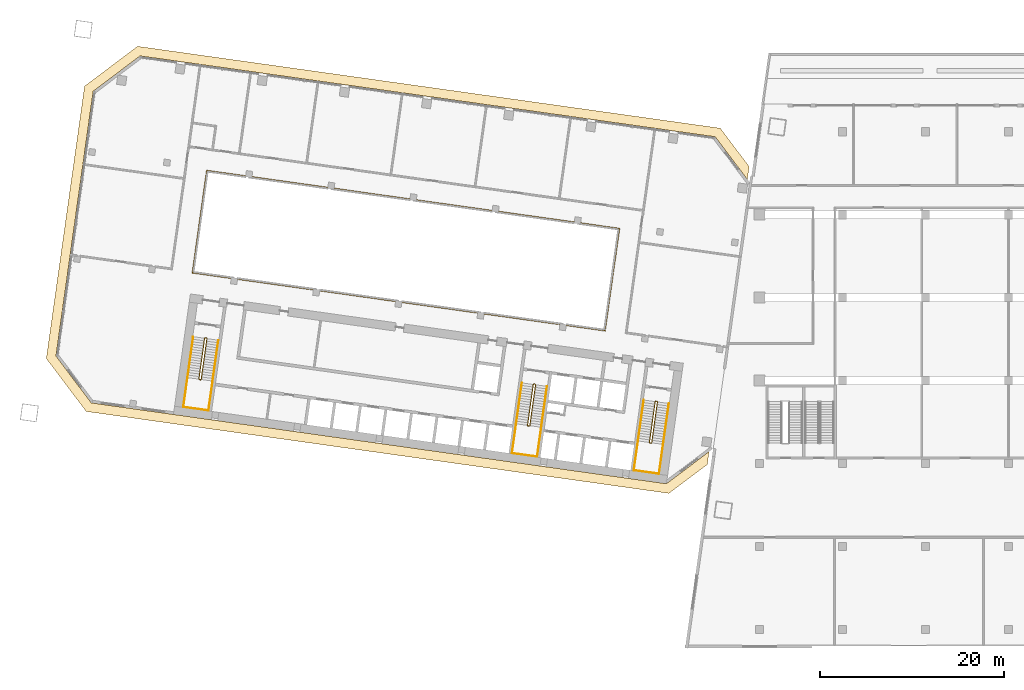
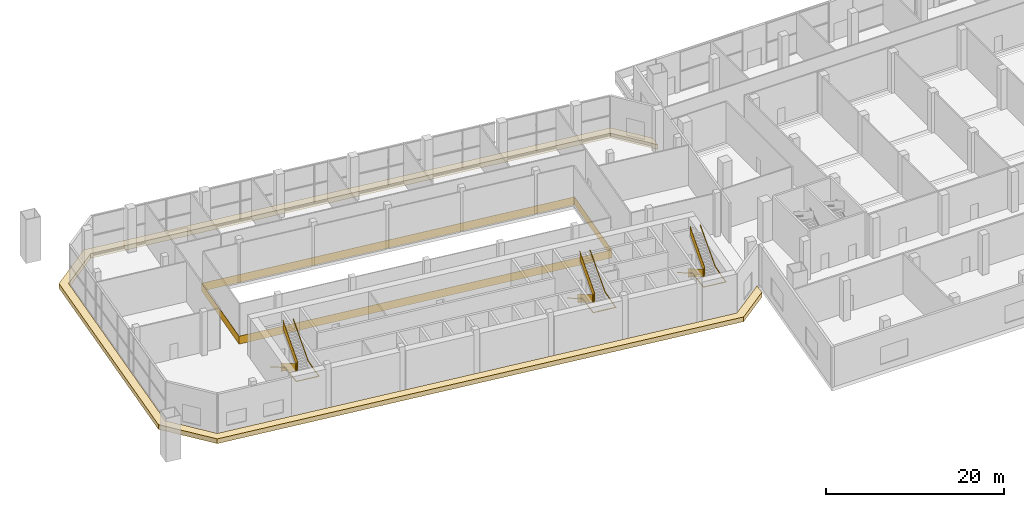
# One storey, part 21 of 24: 7 railings, 1 covering.
"""IFC4 building model written with IfcOpenShell, lengths in metres."""

from ifc_helpers import new_model, si_unit, direction, frame, origin, origin_2d, place, context, subcontext, project, spatial, polyline, rectangle, outline, extrude, material, layer, layer_set, type_object, element, save


model = new_model("IFC4")

# Units and contexts
model_context = context("Model", 3, precision=1e-05, world=origin(), true_north=direction((0.0, 1.0)))
body_context = subcontext(model_context, "Body", "Model", "MODEL_VIEW")
ifc_project = project(units=[si_unit("LENGTHUNIT", "METRE"), si_unit("AREAUNIT", "SQUARE_METRE"), si_unit("VOLUMEUNIT", "CUBIC_METRE"), si_unit("PLANEANGLEUNIT", "RADIAN"), si_unit("MASSUNIT", "GRAM", prefix="KILO")], contexts=[model_context])

# Site, building, storey
site_placement = place(None, origin())
site = spatial("IfcSite", under=ifc_project, at=site_placement, CompositionType="ELEMENT")
building_placement = place(site_placement, origin())
building = spatial("IfcBuilding", under=site, at=building_placement, Name="Mirante Cascada Hotel Towers", CompositionType="ELEMENT")
storey_placement = place(building_placement, frame((0.0, 0.0, 17.5)))
storey = spatial("IfcBuildingStorey", under=building, at=storey_placement, Name="L02", CompositionType="ELEMENT", Elevation=17.5)

# Railing
ifc_material_1 = material(Name="Painted steel", Category="steel")
railing_type_1 = type_object("IfcRailingType", Name="Atrium edge guard 1100 steel balustrade", PredefinedType="GUARDRAIL", material=ifc_material_1)
railing_1_placement = place(storey_placement, frame((-43.7567, -3.601, 0.0)))
element("IfcRailing", 1, at=railing_1_placement, inside=storey, type_object=railing_type_1, Name="Atrium guard T1 L02", PredefinedType="GUARDRAIL", context=body_context, shape_type="SweptSolid", body=[
    extrude(rectangle(XDim=0.048, YDim=0.048, at=origin_2d()), frame((0.0, 0.0, 1.076), z_axis=(-0.9902681, 0.1391726, 0.0), x_axis=(-0.1391726, -0.9902681, 0.0)), (0.0, 0.0, 1.0), 45.2),
    extrude(rectangle(XDim=0.02, YDim=1.052, at=origin_2d()), frame((0.0, 0.0, 0.526), z_axis=(-0.9902681, 0.1391726, 0.0), x_axis=(-0.1391726, -0.9902681, 0.0)), (0.0, 0.0, 1.0), 45.2),
    extrude(rectangle(XDim=0.048, YDim=0.048, at=origin_2d()), frame((-44.7601, 6.2906, 1.076), z_axis=(0.1391697, 0.9902685, 0.0), x_axis=(-0.9902685, 0.1391697, 0.0)), (0.0, 0.0, 1.0), 11.2),
    extrude(rectangle(XDim=0.02, YDim=1.052, at=origin_2d()), frame((-44.7601, 6.2906, 0.526), z_axis=(0.1391697, 0.9902685, 0.0), x_axis=(-0.9902685, 0.1391697, 0.0)), (0.0, 0.0, 1.0), 11.2),
    extrude(rectangle(XDim=0.048, YDim=0.048, at=origin_2d()), frame((-43.2014, 17.3816, 1.076), z_axis=(0.9902681, -0.1391726, 0.0), x_axis=(0.1391726, 0.9902681, 0.0)), (0.0, 0.0, 1.0), 45.2),
    extrude(rectangle(XDim=0.02, YDim=1.052, at=origin_2d()), frame((-43.2014, 17.3816, 0.526), z_axis=(0.9902681, -0.1391726, 0.0), x_axis=(0.1391726, 0.9902681, 0.0)), (0.0, 0.0, 1.0), 45.2),
    extrude(rectangle(XDim=0.048, YDim=0.048, at=origin_2d()), frame((1.5587, 11.091, 1.076), z_axis=(-0.1391697, -0.9902685, 0.0), x_axis=(0.9902685, -0.1391697, 0.0)), (0.0, 0.0, 1.0), 11.2),
    extrude(rectangle(XDim=0.02, YDim=1.052, at=origin_2d()), frame((1.5587, 11.091, 0.526), z_axis=(-0.1391697, -0.9902685, 0.0), x_axis=(0.9902685, -0.1391697, 0.0)), (0.0, 0.0, 1.0), 11.2),
])

# Covering
ifc_material_2 = material(Name="Precast concrete C40/50 white", Category="concrete")
ifc_layer = layer(ifc_material_2, 0.6)
ifc_layer_set = layer_set([ifc_layer], Name="Precast concrete SUNSHADE band 1000x600")
covering_type = type_object("IfcCoveringType", Name="Precast concrete SUNSHADE band 1000x600", PredefinedType="CLADDING", material=ifc_layer_set)
covering_placement = place(storey_placement, frame((0.0, 0.0, -0.5)))
element("IfcCovering", 2, at=covering_placement, inside=storey, type_object=covering_type, Name="Precast concrete SUNSHADE band T1 L02", PredefinedType="CLADDING", context=body_context, shape_type="SweptSolid", body=[
    extrude(outline(polyline([(-100.2139, 22.9287), (-94.4698, 27.2572), (-31.2626, 18.374), (-28.1256, 14.2111), (-28.3224, 12.8107), (-31.8119, 17.4414), (-94.1988, 26.2093), (-99.2813, 22.3794), (-103.3173, -6.3384), (-99.4874, -11.4209), (-37.1005, -20.1888), (-32.4698, -16.6993), (-32.6666, -18.0998), (-36.8295, -21.2367), (-100.0367, -12.3535), (-104.3652, -6.6094), (-100.2139, 22.9287)])), origin(), (0.0, 0.0, 1.0), 0.65),
])

# Railings
ifc_material_3 = material(Name="Painted steel", Category="steel")
railing_type_2 = type_object("IfcRailingType", Name="Stair guard 1100 steel balustrade", PredefinedType="GUARDRAIL", material=ifc_material_3)
railing_2_placement = place(storey_placement, frame((-38.1178, -11.2603, 0.0)))
element("IfcRailing", 3, at=railing_2_placement, inside=storey, type_object=railing_type_2, Name="L02 ST1-A stair guard 1", PredefinedType="GUARDRAIL", context=body_context, shape_type="SweptSolid", body=[
    extrude(rectangle(XDim=0.048, YDim=0.048, at=origin_2d()), frame((0.0, 0.0, 1.076), z_axis=(-0.9903326, 0.1387133, 0.0), x_axis=(-0.1387133, -0.9903326, 0.0)), (0.0, 0.0, 1.0), 0.1499),
    extrude(rectangle(XDim=0.02, YDim=1.052, at=origin_2d()), frame((0.0, 0.0, 0.526), z_axis=(-0.9903326, 0.1387133, 0.0), x_axis=(-0.1387133, -0.9903326, 0.0)), (0.0, 0.0, 1.0), 0.1499),
    extrude(rectangle(XDim=0.048, YDim=0.048, at=origin_2d()), frame((-0.1485, 0.0208, 1.076), z_axis=(-0.7991505, -0.6011309, 0.0), x_axis=(0.6011309, -0.7991505, 0.0)), (0.0, 0.9282951, 0.3718444), 0.1901),
    extrude(rectangle(XDim=0.02, YDim=1.052, at=origin_2d()), frame((-0.1485, 0.0208, 0.526), z_axis=(-0.7991505, -0.6011309, 0.0), x_axis=(0.6011309, -0.7991505, 0.0)), (0.0, 0.9282951, 0.3718444), 0.1901),
    extrude(rectangle(XDim=0.048, YDim=0.048, at=origin_2d()), frame((-0.205, -0.0217, 1.2525), z_axis=(-0.1391741, -0.9902679, 0.0), x_axis=(0.9902679, -0.1391741, 0.0)), (0.0, 0.5331864, 0.8459978), 5.2955),
    extrude(rectangle(XDim=0.02, YDim=1.052, at=origin_2d()), frame((-0.205, -0.0217, 0.7025), z_axis=(-0.1391741, -0.9902679, 0.0), x_axis=(0.9902679, -0.1391741, 0.0)), (0.0, 0.5331864, 0.8459978), 5.2955),
    extrude(rectangle(XDim=0.048, YDim=0.048, at=origin_2d()), frame((-0.8285, -4.4581, 4.076), z_axis=(0.9268624, -0.3754011, 0.0), x_axis=(0.3754011, 0.9268624, 0.0)), (0.0, 0.0, 1.0), 0.2062),
    extrude(rectangle(XDim=0.02, YDim=1.052, at=origin_2d()), frame((-0.8285, -4.4581, 3.526), z_axis=(0.9268624, -0.3754011, 0.0), x_axis=(0.3754011, 0.9268624, 0.0)), (0.0, 0.0, 1.0), 0.2062),
    extrude(rectangle(XDim=0.048, YDim=0.048, at=origin_2d()), frame((-0.6374, -4.5355, 4.076), z_axis=(-0.9902408, 0.1393672, 0.0), x_axis=(-0.1393672, -0.9902408, 0.0)), (0.0, 0.0, 1.0), 0.15),
    extrude(rectangle(XDim=0.02, YDim=1.052, at=origin_2d()), frame((-0.6374, -4.5355, 3.526), z_axis=(-0.9902408, 0.1393672, 0.0), x_axis=(-0.1393672, -0.9902408, 0.0)), (0.0, 0.0, 1.0), 0.15),
    extrude(rectangle(XDim=0.048, YDim=0.048, at=origin_2d()), frame((-0.7859, -4.5146, 4.076), z_axis=(0.9944441, 0.1052656, 0.0), x_axis=(-0.1052656, 0.9944441, 0.0)), (0.0, 0.650375, 0.7596133), 0.2714),
    extrude(rectangle(XDim=0.02, YDim=1.052, at=origin_2d()), frame((-0.7859, -4.5146, 3.526), z_axis=(0.9944441, 0.1052656, 0.0), x_axis=(-0.1052656, 0.9944441, 0.0)), (0.0, 0.650375, 0.7596133), 0.2714),
    extrude(rectangle(XDim=0.048, YDim=0.048, at=origin_2d()), frame((-0.5809, -4.4929, 4.2525), z_axis=(0.1391741, 0.9902679, 0.0), x_axis=(-0.9902679, 0.1391741, 0.0)), (0.0, 0.5331864, 0.8459978), 5.2955),
    extrude(rectangle(XDim=0.02, YDim=1.052, at=origin_2d()), frame((-0.5809, -4.4929, 3.7025), z_axis=(0.1391741, 0.9902679, 0.0), x_axis=(-0.9902679, 0.1391741, 0.0)), (0.0, 0.5331864, 0.8459978), 5.2955),
])
railing_3_placement = place(storey_placement, frame((-51.3379, -9.4024, 0.0)))
element("IfcRailing", 4, at=railing_3_placement, inside=storey, type_object=railing_type_2, Name="L02 ST1-B stair guard 1", PredefinedType="GUARDRAIL", context=body_context, shape_type="SweptSolid", body=[
    extrude(rectangle(XDim=0.048, YDim=0.048, at=origin_2d()), frame((0.0, 0.0, 1.076), z_axis=(-0.9902408, 0.1393672, 0.0), x_axis=(-0.1393672, -0.9902408, 0.0)), (0.0, 0.0, 1.0), 0.15),
    extrude(rectangle(XDim=0.02, YDim=1.052, at=origin_2d()), frame((0.0, 0.0, 0.526), z_axis=(-0.9902408, 0.1393672, 0.0), x_axis=(-0.1393672, -0.9902408, 0.0)), (0.0, 0.0, 1.0), 0.15),
    extrude(rectangle(XDim=0.048, YDim=0.048, at=origin_2d()), frame((-0.1485, 0.0209, 1.076), z_axis=(-0.7984711, -0.6020331, 0.0), x_axis=(0.6020331, -0.7984711, 0.0)), (0.0, 0.9281858, 0.372117), 0.1902),
    extrude(rectangle(XDim=0.02, YDim=1.052, at=origin_2d()), frame((-0.1485, 0.0209, 0.526), z_axis=(-0.7984711, -0.6020331, 0.0), x_axis=(0.6020331, -0.7984711, 0.0)), (0.0, 0.9281858, 0.372117), 0.1902),
    extrude(rectangle(XDim=0.048, YDim=0.048, at=origin_2d()), frame((-0.205, -0.0217, 1.2525), z_axis=(-0.1391741, -0.9902679, 0.0), x_axis=(0.9902679, -0.1391741, 0.0)), (0.0, 0.5331864, 0.8459978), 5.2955),
    extrude(rectangle(XDim=0.02, YDim=1.052, at=origin_2d()), frame((-0.205, -0.0217, 0.7025), z_axis=(-0.1391741, -0.9902679, 0.0), x_axis=(0.9902679, -0.1391741, 0.0)), (0.0, 0.5331864, 0.8459978), 5.2955),
    extrude(rectangle(XDim=0.048, YDim=0.048, at=origin_2d()), frame((-0.8285, -4.4581, 4.076), z_axis=(0.9270311, -0.3749843, 0.0), x_axis=(0.3749843, 0.9270311, 0.0)), (0.0, 0.0, 1.0), 0.2061),
    extrude(rectangle(XDim=0.02, YDim=1.052, at=origin_2d()), frame((-0.8285, -4.4581, 3.526), z_axis=(0.9270311, -0.3749843, 0.0), x_axis=(0.3749843, 0.9270311, 0.0)), (0.0, 0.0, 1.0), 0.2061),
    extrude(rectangle(XDim=0.048, YDim=0.048, at=origin_2d()), frame((-0.6374, -4.5354, 4.076), z_axis=(-0.9902408, 0.1393672, 0.0), x_axis=(-0.1393672, -0.9902408, 0.0)), (0.0, 0.0, 1.0), 0.15),
    extrude(rectangle(XDim=0.02, YDim=1.052, at=origin_2d()), frame((-0.6374, -4.5354, 3.526), z_axis=(-0.9902408, 0.1393672, 0.0), x_axis=(-0.1393672, -0.9902408, 0.0)), (0.0, 0.0, 1.0), 0.15),
    extrude(rectangle(XDim=0.048, YDim=0.048, at=origin_2d()), frame((-0.7859, -4.5145, 4.076), z_axis=(0.9944948, 0.1047858, 0.0), x_axis=(-0.1047858, 0.9944948, 0.0)), (0.0, 0.6503941, 0.759597), 0.2714),
    extrude(rectangle(XDim=0.02, YDim=1.052, at=origin_2d()), frame((-0.7859, -4.5145, 3.526), z_axis=(0.9944948, 0.1047858, 0.0), x_axis=(-0.1047858, 0.9944948, 0.0)), (0.0, 0.6503941, 0.759597), 0.2714),
    extrude(rectangle(XDim=0.048, YDim=0.048, at=origin_2d()), frame((-0.5809, -4.4929, 4.2525), z_axis=(0.1391741, 0.9902679, 0.0), x_axis=(-0.9902679, 0.1391741, 0.0)), (0.0, 0.5331864, 0.8459978), 5.2955),
    extrude(rectangle(XDim=0.02, YDim=1.052, at=origin_2d()), frame((-0.5809, -4.4929, 3.7025), z_axis=(0.1391741, 0.9902679, 0.0), x_axis=(-0.9902679, 0.1391741, 0.0)), (0.0, 0.5331864, 0.8459978), 5.2955),
])
railing_4_placement = place(storey_placement, frame((-86.9875, -4.3922, 0.0)))
element("IfcRailing", 5, at=railing_4_placement, inside=storey, type_object=railing_type_2, Name="L02 ST1-C stair guard 1", PredefinedType="GUARDRAIL", context=body_context, shape_type="SweptSolid", body=[
    extrude(rectangle(XDim=0.048, YDim=0.048, at=origin_2d()), frame((0.0, 0.0, 1.076), z_axis=(-0.9902537, 0.1392753, 0.0), x_axis=(-0.1392753, -0.9902537, 0.0)), (0.0, 0.0, 1.0), 0.1501),
    extrude(rectangle(XDim=0.02, YDim=1.052, at=origin_2d()), frame((0.0, 0.0, 0.526), z_axis=(-0.9902537, 0.1392753, 0.0), x_axis=(-0.1392753, -0.9902537, 0.0)), (0.0, 0.0, 1.0), 0.1501),
    extrude(rectangle(XDim=0.048, YDim=0.048, at=origin_2d()), frame((-0.1486, 0.0209, 1.076), z_axis=(-0.7986386, -0.601811, 0.0), x_axis=(0.601811, -0.7986386, 0.0)), (0.0, 0.9284401, 0.3714822), 0.1901),
    extrude(rectangle(XDim=0.02, YDim=1.052, at=origin_2d()), frame((-0.1486, 0.0209, 0.526), z_axis=(-0.7986386, -0.601811, 0.0), x_axis=(0.601811, -0.7986386, 0.0)), (0.0, 0.9284401, 0.3714822), 0.1901),
    extrude(rectangle(XDim=0.048, YDim=0.048, at=origin_2d()), frame((-0.205, -0.0216, 1.2525), z_axis=(-0.1391741, -0.9902679, 0.0), x_axis=(0.9902679, -0.1391741, 0.0)), (0.0, 0.5331864, 0.8459978), 5.2955),
    extrude(rectangle(XDim=0.02, YDim=1.052, at=origin_2d()), frame((-0.205, -0.0216, 0.7025), z_axis=(-0.1391741, -0.9902679, 0.0), x_axis=(0.9902679, -0.1391741, 0.0)), (0.0, 0.5331864, 0.8459978), 5.2955),
    extrude(rectangle(XDim=0.048, YDim=0.048, at=origin_2d()), frame((-0.8285, -4.458, 4.076), z_axis=(0.9268624, -0.3754011, 0.0), x_axis=(0.3754011, 0.9268624, 0.0)), (0.0, 0.0, 1.0), 0.2062),
    extrude(rectangle(XDim=0.02, YDim=1.052, at=origin_2d()), frame((-0.8285, -4.458, 3.526), z_axis=(0.9268624, -0.3754011, 0.0), x_axis=(0.3754011, 0.9268624, 0.0)), (0.0, 0.0, 1.0), 0.2062),
    extrude(rectangle(XDim=0.048, YDim=0.048, at=origin_2d()), frame((-0.6374, -4.5354, 4.076), z_axis=(-0.9902537, 0.1392753, 0.0), x_axis=(-0.1392753, -0.9902537, 0.0)), (0.0, 0.0, 1.0), 0.1501),
    extrude(rectangle(XDim=0.02, YDim=1.052, at=origin_2d()), frame((-0.6374, -4.5354, 3.526), z_axis=(-0.9902537, 0.1392753, 0.0), x_axis=(-0.1392753, -0.9902537, 0.0)), (0.0, 0.0, 1.0), 0.1501),
    extrude(rectangle(XDim=0.048, YDim=0.048, at=origin_2d()), frame((-0.786, -4.5145, 4.076), z_axis=(0.9944441, 0.1052656, 0.0), x_axis=(-0.1052656, 0.9944441, 0.0)), (0.0, 0.650375, 0.7596133), 0.2714),
    extrude(rectangle(XDim=0.02, YDim=1.052, at=origin_2d()), frame((-0.786, -4.5145, 3.526), z_axis=(0.9944441, 0.1052656, 0.0), x_axis=(-0.1052656, 0.9944441, 0.0)), (0.0, 0.650375, 0.7596133), 0.2714),
    extrude(rectangle(XDim=0.048, YDim=0.048, at=origin_2d()), frame((-0.581, -4.4928, 4.2525), z_axis=(0.1391741, 0.9902679, 0.0), x_axis=(-0.9902679, 0.1391741, 0.0)), (0.0, 0.5331864, 0.8459978), 5.2955),
    extrude(rectangle(XDim=0.02, YDim=1.052, at=origin_2d()), frame((-0.581, -4.4928, 3.7025), z_axis=(0.1391741, 0.9902679, 0.0), x_axis=(-0.9902679, 0.1391741, 0.0)), (0.0, 0.5331864, 0.8459978), 5.2955),
])
ifc_material_4 = material(Name="Painted steel", Category="steel")
railing_type_3 = type_object("IfcRailingType", Name="Stair handrail 900 steel tube", PredefinedType="HANDRAIL", material=ifc_material_4)
railing_5_placement = place(storey_placement, frame((-39.5606, -11.1081, 0.1765)))
element("IfcRailing", 6, at=railing_5_placement, inside=storey, type_object=railing_type_3, Name="L02 ST1-A stair handrail 1", PredefinedType="HANDRAIL", context=body_context, shape_type="SweptSolid", body=[
    extrude(rectangle(XDim=0.048, YDim=0.048, at=origin_2d()), frame((0.0, 0.0, 0.876), z_axis=(-0.1391741, -0.9902679, 0.0), x_axis=(0.9902679, -0.1391741, 0.0)), (0.0, 0.5331864, 0.8459978), 5.2955),
    extrude(rectangle(XDim=0.048, YDim=0.048, at=origin_2d()), frame((-0.6234, -4.4354, 3.6994), z_axis=(-0.1391949, -0.990265, 0.0), x_axis=(0.990265, -0.1391949, 0.0)), (0.0, 0.0547324, 0.9985011), 3.2258),
    extrude(rectangle(XDim=0.048, YDim=0.048, at=origin_2d()), frame((-1.0717, -7.625, 3.876), z_axis=(0.9902698, -0.1391607, 0.0), x_axis=(0.1391607, 0.9902698, 0.0)), (0.0, 0.0, 1.0), 2.7501),
    extrude(rectangle(XDim=0.048, YDim=0.048, at=origin_2d()), frame((1.6516, -8.0077, 3.876), z_axis=(0.1391644, 0.9902693, 0.0), x_axis=(-0.9902693, 0.1391644, 0.0)), (0.0, 0.0, 1.0), 3.2199),
    extrude(rectangle(XDim=0.048, YDim=0.048, at=origin_2d()), frame((2.0996, -4.8199, 3.8755), z_axis=(0.1391741, 0.9902679, 0.0), x_axis=(-0.9902679, 0.1391741, 0.0)), (0.0, 0.5331864, 0.8459978), 5.2965),
])
railing_6_placement = place(storey_placement, frame((-52.7807, -9.2501, 0.1765)))
element("IfcRailing", 7, at=railing_6_placement, inside=storey, type_object=railing_type_3, Name="L02 ST1-B stair handrail 1", PredefinedType="HANDRAIL", context=body_context, shape_type="SweptSolid", body=[
    extrude(rectangle(XDim=0.048, YDim=0.048, at=origin_2d()), frame((0.0, 0.0, 0.876), z_axis=(-0.1391741, -0.9902679, 0.0), x_axis=(0.9902679, -0.1391741, 0.0)), (0.0, 0.5331864, 0.8459978), 5.2955),
    extrude(rectangle(XDim=0.048, YDim=0.048, at=origin_2d()), frame((-0.6234, -4.4354, 3.6994), z_axis=(-0.1391906, -0.9902656, 0.0), x_axis=(0.9902656, -0.1391906, 0.0)), (0.0, 0.0547307, 0.9985011), 3.2259),
    extrude(rectangle(XDim=0.048, YDim=0.048, at=origin_2d()), frame((-1.0717, -7.6251, 3.876), z_axis=(0.9902698, -0.1391607, 0.0), x_axis=(0.1391607, 0.9902698, 0.0)), (0.0, 0.0, 1.0), 2.7501),
    extrude(rectangle(XDim=0.048, YDim=0.048, at=origin_2d()), frame((1.6516, -8.0078, 3.876), z_axis=(0.1391601, 0.9902699, 0.0), x_axis=(-0.9902699, 0.1391601, 0.0)), (0.0, 0.0, 1.0), 3.22),
    extrude(rectangle(XDim=0.048, YDim=0.048, at=origin_2d()), frame((2.0996, -4.8199, 3.8755), z_axis=(0.1391741, 0.9902679, 0.0), x_axis=(-0.9902679, 0.1391741, 0.0)), (0.0, 0.5331864, 0.8459978), 5.2965),
])
railing_7_placement = place(storey_placement, frame((-88.4304, -4.2399, 0.1765)))
element("IfcRailing", 8, at=railing_7_placement, inside=storey, type_object=railing_type_3, Name="L02 ST1-C stair handrail 1", PredefinedType="HANDRAIL", context=body_context, shape_type="SweptSolid", body=[
    extrude(rectangle(XDim=0.048, YDim=0.048, at=origin_2d()), frame((0.0, 0.0, 0.876), z_axis=(-0.1391741, -0.9902679, 0.0), x_axis=(0.9902679, -0.1391741, 0.0)), (0.0, 0.5331864, 0.8459978), 5.2955),
    extrude(rectangle(XDim=0.048, YDim=0.048, at=origin_2d()), frame((-0.6234, -4.4354, 3.6994), z_axis=(-0.1391644, -0.9902693, 0.0), x_axis=(0.9902693, -0.1391644, 0.0)), (0.0, 0.0547327, 0.998501), 3.2258),
    extrude(rectangle(XDim=0.048, YDim=0.048, at=origin_2d()), frame((-1.0716, -7.625, 3.876), z_axis=(0.9902641, -0.1392013, 0.0), x_axis=(0.1392013, 0.9902641, 0.0)), (0.0, 0.0, 1.0), 2.75),
    extrude(rectangle(XDim=0.048, YDim=0.048, at=origin_2d()), frame((1.6516, -8.0078, 3.876), z_axis=(0.1391906, 0.9902656, 0.0), x_axis=(-0.9902656, 0.1391906, 0.0)), (0.0, 0.0, 1.0), 3.22),
    extrude(rectangle(XDim=0.048, YDim=0.048, at=origin_2d()), frame((2.0997, -4.8199, 3.8755), z_axis=(0.1391741, 0.9902679, 0.0), x_axis=(-0.9902679, 0.1391741, 0.0)), (0.0, 0.5331864, 0.8459978), 5.2965),
])

save(model, "model.ifc")
